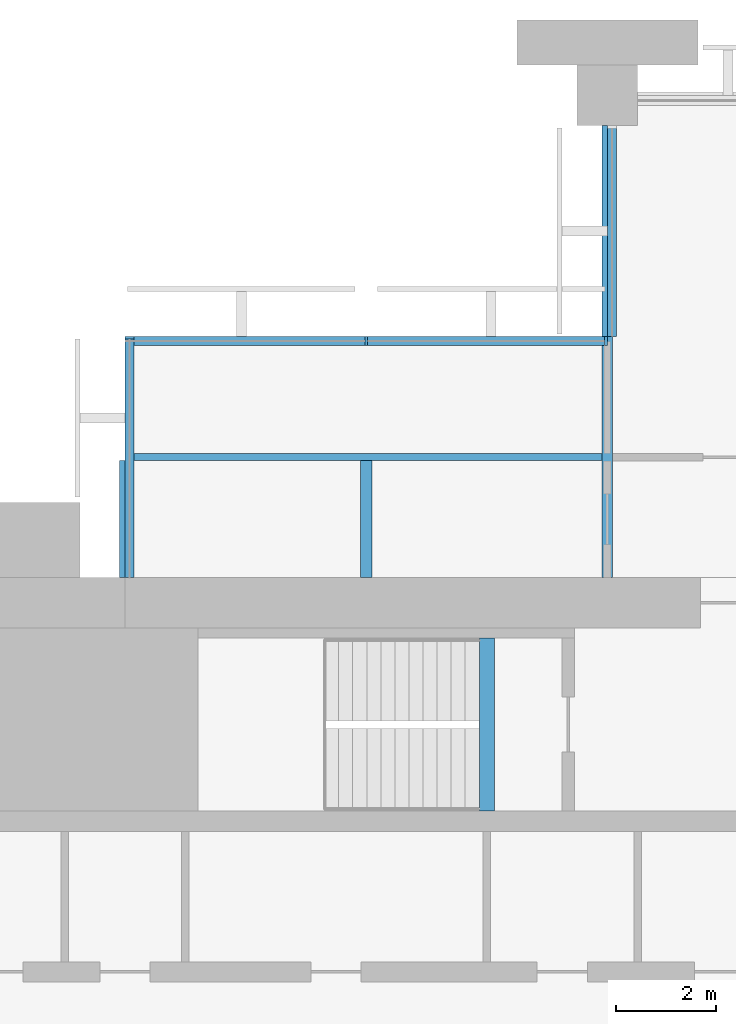
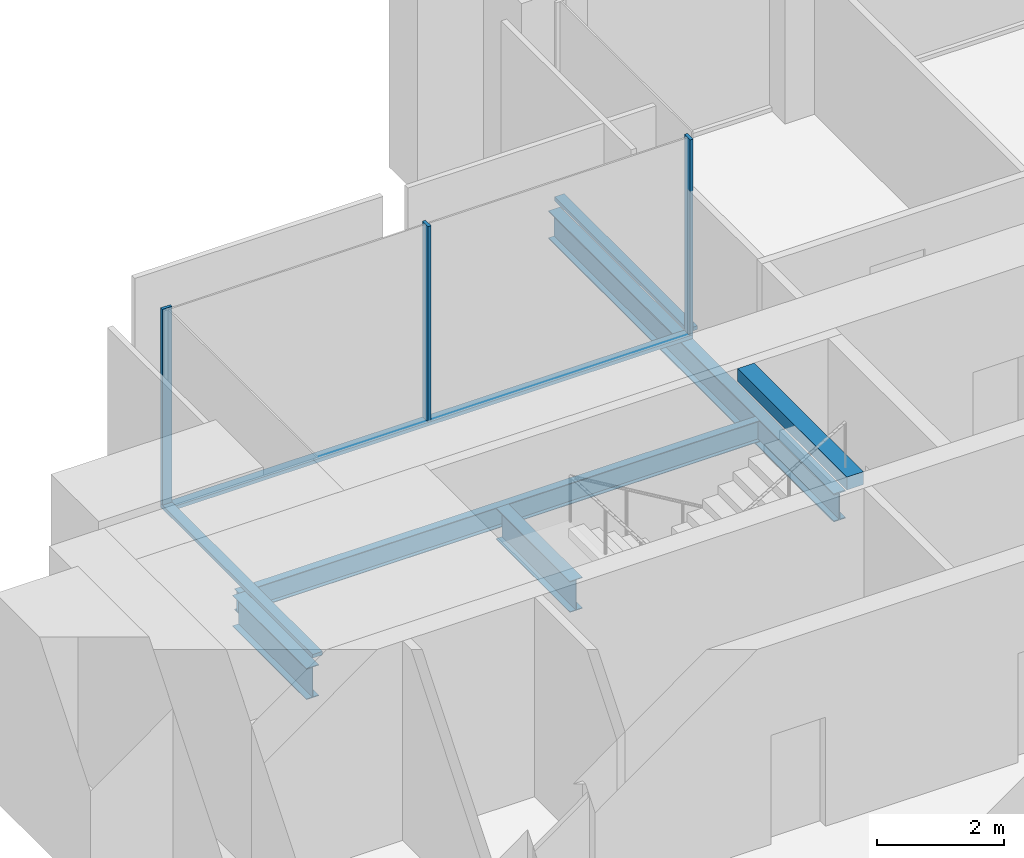
# One storey, part 5 of 14: 6 members, 5 beams, 3 elements without a shape of their own.
"""IFC4 building model written with IfcOpenShell, lengths in metres."""

from ifc_helpers import new_model, si_unit, direction, frame, origin, origin_2d, place, context, subcontext, project, spatial, rectangle, i_section, extrude, material, material_profile, profile_set, type_object, element, aggregate, save


model = new_model("IFC4")

# Units and contexts
model_context = context("Model", 3, precision=1e-05, world=origin(), true_north=direction((0.0, 1.0)))
body_context = subcontext(model_context, "Body", "Model", "MODEL_VIEW")
ifc_project = project(units=[si_unit("LENGTHUNIT", "METRE"), si_unit("AREAUNIT", "SQUARE_METRE"), si_unit("VOLUMEUNIT", "CUBIC_METRE"), si_unit("PLANEANGLEUNIT", "RADIAN"), si_unit("MASSUNIT", "GRAM", prefix="KILO")], contexts=[model_context])

# Site, building, storey
site_placement = place(None, origin())
site = spatial("IfcSite", under=ifc_project, at=site_placement, CompositionType="ELEMENT")
building_placement = place(site_placement, origin())
building = spatial("IfcBuilding", under=site, at=building_placement, Name="Baori Bourse Tower", CompositionType="ELEMENT")
storey_placement = place(building_placement, frame((0.0, 0.0, 148.10009765625)))
storey = spatial("IfcBuildingStorey", under=building, at=storey_placement, Name="L32", CompositionType="ELEMENT", Elevation=148.10009765625)

# Curtain wall, members
ifc_material_1 = material(Name="Pale anodised aluminium", Category="aluminium")
curtain_wall_type = type_object("IfcCurtainWallType", Name="CW2 Curtain wall", PredefinedType="NOTDEFINED", material=ifc_material_1)
curtain_wall_1_placement = place(storey_placement, origin())
curtain_wall_1 = element("IfcCurtainWall", 1, at=curtain_wall_1_placement, inside=storey, type_object=curtain_wall_type, Name="Curtain wall CW2 L32 6", PredefinedType="NOTDEFINED")
ifc_material_2 = material(Name="Pale anodised aluminium", Category="aluminium")
ifc_material_profile_1 = material_profile(ifc_material_2, rectangle(XDim=0.179931640625, YDim=0.054931640625, at=origin_2d()), Name="Mullion 55x180")
ifc_profile_set_1 = profile_set([ifc_material_profile_1], Name="Pale anodised aluminium")
member_type_1 = type_object("IfcMemberType", Name="CW2 Curtain wall mullion", PredefinedType="MULLION", material=ifc_profile_set_1)
member_1_placement = place(storey_placement, frame((14.37255859375, 43.110107421875, 0.06982421875), z_axis=(0.0, 0.0, 1.0), x_axis=(0.0, -1.0, 0.0)))
member_1 = element("IfcMember", 2, at=member_1_placement, type_object=member_type_1, Name="Curtain wall CW2 mullion", PredefinedType="MULLION", context=body_context, shape_type="SweptSolid", body=[
    extrude(rectangle(XDim=0.179931640625, YDim=0.054931640625, at=origin_2d()), origin(), (0.0, 0.0, 1.0), 3.77001953125),
])
member_2_placement = place(storey_placement, frame((9.60009765625, 43.110107421875, 0.06982421875), z_axis=(0.0, 0.0, 1.0), x_axis=(0.0, -1.0, 0.0)))
member_2 = element("IfcMember", 3, at=member_2_placement, type_object=member_type_1, Name="Curtain wall CW2 mullion", PredefinedType="MULLION", context=body_context, shape_type="SweptSolid", body=[
    extrude(rectangle(XDim=0.179931640625, YDim=0.054931640625, at=origin_2d()), origin(), (0.0, 0.0, 1.0), 3.77001953125),
])

# Curtain wall, member
curtain_wall_2_placement = place(storey_placement, origin())
curtain_wall_2 = element("IfcCurtainWall", 4, at=curtain_wall_2_placement, inside=storey, type_object=curtain_wall_type, Name="Curtain wall CW2 L32 7", PredefinedType="NOTDEFINED")
member_3_placement = place(storey_placement, frame((4.889892578125, 43.172607421875, 0.06982421875), z_axis=(0.0, 0.0, 1.0), x_axis=(1.0, 0.0, 0.0)))
member_3 = element("IfcMember", 5, at=member_3_placement, type_object=member_type_1, Name="Curtain wall CW2 mullion", PredefinedType="MULLION", context=body_context, shape_type="SweptSolid", body=[
    extrude(rectangle(XDim=0.179931640625, YDim=0.054931640625, at=origin_2d()), origin(), (0.0, 0.0, 1.0), 3.77001953125),
])

curtain_wall_3_placement = place(storey_placement, origin())
curtain_wall_3 = element("IfcCurtainWall", 6, at=curtain_wall_3_placement, inside=storey, type_object=curtain_wall_type, Name="Curtain wall CW2 L32 5", PredefinedType="NOTDEFINED")
ifc_material_3 = material(Name="Pale anodised aluminium", Category="aluminium")
ifc_material_profile_2 = material_profile(ifc_material_3, rectangle(XDim=0.179931640625, YDim=0.070068359375, at=origin_2d()), Name="Transom 70x180")
ifc_profile_set_2 = profile_set([ifc_material_profile_2], Name="Pale anodised aluminium")
member_type_2 = type_object("IfcMemberType", Name="CW2 Curtain wall transom", PredefinedType="USERDEFINED", material=ifc_profile_set_2)
member_4_placement = place(storey_placement, frame((14.489990234375, 47.39990234375, 0.034912109375), z_axis=(0.0, -1.0, 0.0), x_axis=(1.0, 0.0, 0.0)))
member_4 = element("IfcMember", 7, at=member_4_placement, type_object=member_type_2, Name="Curtain wall CW2 sill rail", ObjectType="TRANSOM", PredefinedType="USERDEFINED", context=body_context, shape_type="SweptSolid", body=[
    extrude(rectangle(XDim=0.179931640625, YDim=0.070068359375, at=origin_2d()), origin(), (0.0, 0.0, 1.0), 4.199951171875),
])
aggregate(curtain_wall_3, [member_4])

# Member
member_5_placement = place(storey_placement, frame((14.39990234375, 43.110107421875, 0.034912109375), z_axis=(-1.0, 0.0, 0.0), x_axis=(0.0, -1.0, 0.0)))
member_5 = element("IfcMember", 8, at=member_5_placement, type_object=member_type_2, Name="Curtain wall CW2 sill rail", ObjectType="TRANSOM", PredefinedType="USERDEFINED", context=body_context, shape_type="SweptSolid", body=[
    extrude(rectangle(XDim=0.179931640625, YDim=0.070068359375, at=origin_2d()), origin(), (0.0, 0.0, 1.0), 9.599853515625),
])

aggregate(curtain_wall_1, [member_5, member_1, member_2])

member_6_placement = place(storey_placement, frame((4.889892578125, 43.199951171875, 0.034912109375), z_axis=(0.0, -1.0, 0.0), x_axis=(1.0, 0.0, 0.0)))
member_6 = element("IfcMember", 9, at=member_6_placement, type_object=member_type_2, Name="Curtain wall CW2 sill rail", ObjectType="TRANSOM", PredefinedType="USERDEFINED", context=body_context, shape_type="SweptSolid", body=[
    extrude(rectangle(XDim=0.179931640625, YDim=0.070068359375, at=origin_2d()), origin(), (0.0, 0.0, 1.0), 4.800048828125),
])

aggregate(curtain_wall_2, [member_6, member_3])

# Beams
ifc_material_4 = material(Name="Steel A992 Gr 50", Category="steel")
ifc_material_profile_3 = material_profile(ifc_material_4, i_section(OverallWidth=0.227783203125, OverallDepth=0.60205078125, WebThickness=0.010498046875, FlangeThickness=0.014892578125, at=origin_2d()), Name="W24x68")
ifc_profile_set_3 = profile_set([ifc_material_profile_3], Name="Steel A992 Gr 50")
beam_type_1 = type_object("IfcBeamType", Name="Core bracket W24x68", PredefinedType="BEAM", material=ifc_profile_set_3)
for number, where, z_axis, x_axis, name in (
    (10, (4.800048828125, 38.39990234375, -0.461181640625), (0.0, 1.0, 0.0), (-1.0, 0.0, 0.0), "Core bracket L32"),
    (11, (9.60009765625, 38.39990234375, -0.461181640625), (0.0, 1.0, 0.0), (-1.0, 0.0, 0.0), "Core bracket L32"),
):
    element("IfcBeam", number, at=place(storey_placement, frame(where, z_axis=z_axis, x_axis=x_axis)), inside=storey, type_object=beam_type_1, Name=name, PredefinedType="BEAM", context=body_context, shape_type="SweptSolid", body=[
        extrude(i_section(OverallWidth=0.227783203125, OverallDepth=0.60205078125, WebThickness=0.010498046875, FlangeThickness=0.014892578125, at=origin_2d()), origin(), (0.0, 0.0, 1.0), 2.329833984375),
    ])
ifc_material_5 = material(Name="Steel A992 Gr 50", Category="steel")
ifc_material_profile_4 = material_profile(ifc_material_5, i_section(OverallWidth=0.21240234375, OverallDepth=0.54345703125, WebThickness=0.01318359375, FlangeThickness=0.021240234375, at=origin_2d()), Name="W21x83")
ifc_profile_set_4 = profile_set([ifc_material_profile_4], Name="Steel A992 Gr 50")
beam_type_2 = type_object("IfcBeamType", Name="Floor beam W21x83", PredefinedType="BEAM", material=ifc_profile_set_4)
beam_1_placement = place(storey_placement, frame((14.39990234375, 38.39990234375, -0.431884765625), z_axis=(0.0, 1.0, 0.0), x_axis=(-1.0, 0.0, 0.0)))
element("IfcBeam", 12, at=beam_1_placement, inside=storey, type_object=beam_type_2, Name="Floor beam L32", PredefinedType="BEAM", context=body_context, shape_type="SweptSolid", body=[
    extrude(i_section(OverallWidth=0.21240234375, OverallDepth=0.54345703125, WebThickness=0.01318359375, FlangeThickness=0.021240234375, at=origin_2d()), origin(), (0.0, 0.0, 1.0), 9.0),
])
ifc_material_6 = material(Name="Concrete f'c 50 MPa", Category="concrete")
ifc_material_profile_5 = material_profile(ifc_material_6, rectangle(XDim=0.300048828125, YDim=0.25, at=origin_2d()), Name="RC 300x250")
ifc_profile_set_5 = profile_set([ifc_material_profile_5], Name="Concrete f'c 50 MPa")
beam_type_3 = type_object("IfcBeamType", Name="Stair nib beam RC 300x250", PredefinedType="BEAM", material=ifc_profile_set_5)
beam_2_placement = place(storey_placement, frame((12.0, 33.75, 3.71484375), z_axis=(0.0, 1.0, 0.0), x_axis=(-1.0, 0.0, 0.0)))
element("IfcBeam", 13, at=beam_2_placement, inside=storey, type_object=beam_type_3, Name="Stair WB nib beam L33", PredefinedType="BEAM", context=body_context, shape_type="SweptSolid", body=[
    extrude(rectangle(XDim=0.300048828125, YDim=0.25, at=origin_2d()), origin(), (0.0, 0.0, 1.0), 3.449951171875),
])
ifc_material_7 = material(Name="Steel A992 Gr 50", Category="steel")
ifc_material_profile_6 = material_profile(ifc_material_7, i_section(OverallWidth=0.140380859375, OverallDepth=0.40380859375, WebThickness=0.007080078125, FlangeThickness=0.01123046875, at=origin_2d()), Name="W16x31")
ifc_profile_set_6 = profile_set([ifc_material_profile_6], Name="Steel A992 Gr 50")
beam_type_4 = type_object("IfcBeamType", Name="Trimmer beam W16x31", PredefinedType="BEAM", material=ifc_profile_set_6)
beam_3_placement = place(storey_placement, frame((4.800048828125, 40.800048828125, -0.362060546875), z_axis=(1.0, 0.0, 0.0), x_axis=(0.0, 1.0, 0.0)))
element("IfcBeam", 14, at=beam_3_placement, inside=storey, type_object=beam_type_4, Name="Trimmer beam L32", PredefinedType="BEAM", context=body_context, shape_type="SweptSolid", body=[
    extrude(i_section(OverallWidth=0.140380859375, OverallDepth=0.40380859375, WebThickness=0.007080078125, FlangeThickness=0.01123046875, at=origin_2d()), origin(), (0.0, 0.0, 1.0), 9.493896484375),
])

save(model, "model.ifc")
